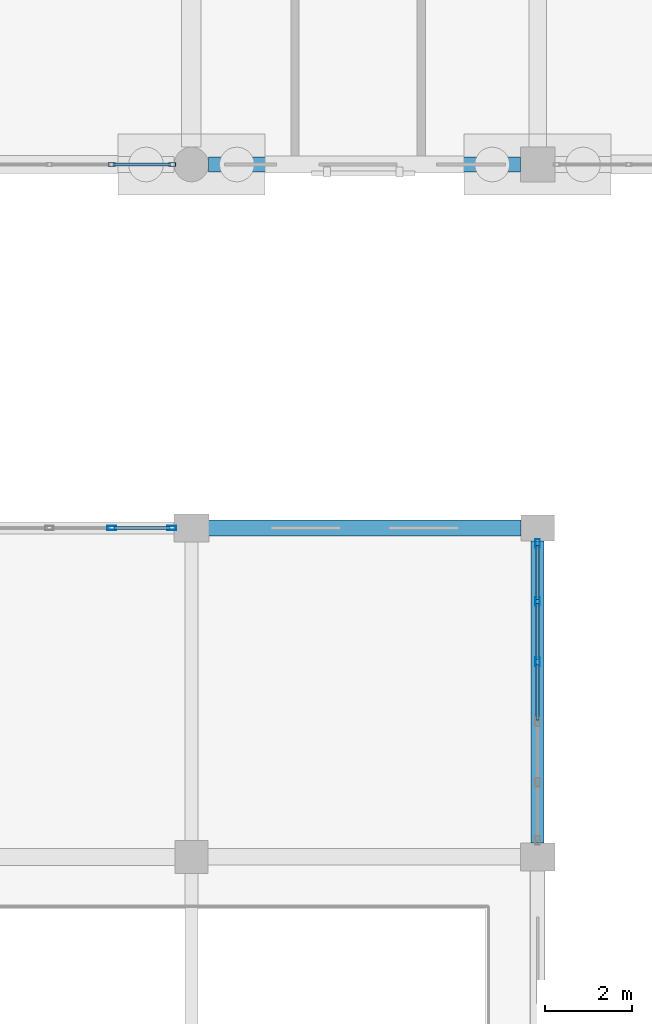
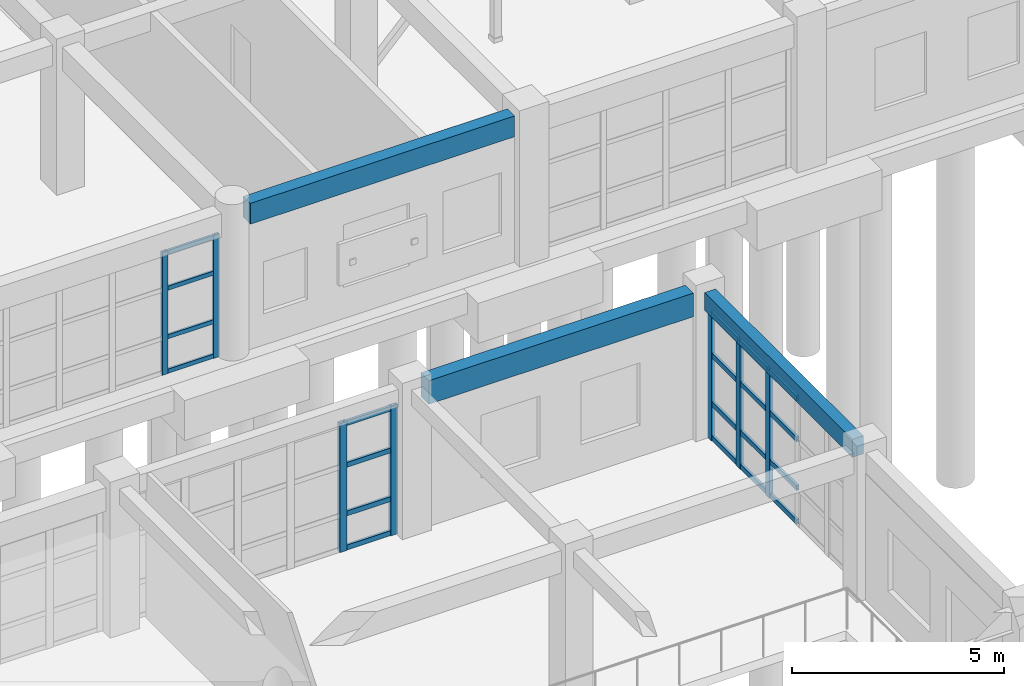
# One storey, part 88 of 166: 27 members, 3 beams, 3 elements without a shape of their own.
"""IFC4 building model written with IfcOpenShell, lengths in metres."""

from ifc_helpers import new_model, si_unit, direction, frame, origin, origin_2d, place, context, subcontext, project, spatial, rectangle, hollow_rectangle, extrude, material, material_profile, profile_set, type_object, element, aggregate, save


model = new_model("IFC4")

# Units and contexts
model_context = context("Model", 3, precision=1e-05, world=origin(), true_north=direction((0.0, 1.0)))
body_context = subcontext(model_context, "Body", "Model", "MODEL_VIEW")
ifc_project = project(units=[si_unit("LENGTHUNIT", "METRE"), si_unit("AREAUNIT", "SQUARE_METRE"), si_unit("VOLUMEUNIT", "CUBIC_METRE"), si_unit("PLANEANGLEUNIT", "RADIAN"), si_unit("MASSUNIT", "GRAM", prefix="KILO")], contexts=[model_context])

# Site, building, storey
site_placement = place(None, origin())
site = spatial("IfcSite", under=ifc_project, at=site_placement, CompositionType="ELEMENT")
building_placement = place(site_placement, origin())
building = spatial("IfcBuilding", under=site, at=building_placement, Name="Kharva Crest Polytechnic", CompositionType="ELEMENT")
storey_placement = place(building_placement, origin())
storey = spatial("IfcBuildingStorey", under=building, at=storey_placement, Name="L00", CompositionType="ELEMENT", Elevation=0.0)

# Curtain wall, members
ifc_material_1 = material(Name="Tempered insulated glass", Category="glass")
curtain_wall_type_1 = type_object("IfcCurtainWallType", Name="CW-SYS-COURT", PredefinedType="USERDEFINED", material=ifc_material_1)
curtain_wall_1_placement = place(storey_placement, origin())
curtain_wall_1 = element("IfcCurtainWall", 1, at=curtain_wall_1_placement, inside=storey, type_object=curtain_wall_type_1, Name="L00 Glazed Curtain Wall CW-014", ObjectType="CURTAIN WALL", PredefinedType="USERDEFINED")
ifc_material_2 = material(Name="Steel S355", Category="steel")
ifc_material_profile_1 = material_profile(ifc_material_2, hollow_rectangle(XDim=0.080078125, YDim=0.159912109375, WallThickness=0.0048828125, at=origin_2d()), Name="RHS 160X80X5.0")
ifc_profile_set_1 = profile_set([ifc_material_profile_1], Name="Steel S355")
member_type_1 = type_object("IfcMemberType", Name="CWM-RHS160X80", PredefinedType="MULLION", material=ifc_profile_set_1)
member_1_placement = place(storey_placement, frame((158.955078125, 38.800048828125, 0.0), z_axis=(0.0, 0.0, 1.0), x_axis=(0.0, 1.0, 0.0)))
member_1 = element("IfcMember", 2, at=member_1_placement, type_object=member_type_1, Name="CW-014 mullion 5", PredefinedType="MULLION", context=body_context, shape_type="SweptSolid", body=[
    extrude(hollow_rectangle(XDim=0.080078125, YDim=0.159912109375, WallThickness=0.0048828125, at=origin_2d()), origin(), (0.0, 0.0, 1.0), 3.5400390625),
])
member_2_placement = place(storey_placement, frame((160.35498046875, 38.800048828125, 0.0), z_axis=(0.0, 0.0, 1.0), x_axis=(0.0, 1.0, 0.0)))
member_2 = element("IfcMember", 3, at=member_2_placement, type_object=member_type_1, Name="CW-014 mullion 6", PredefinedType="MULLION", context=body_context, shape_type="SweptSolid", body=[
    extrude(hollow_rectangle(XDim=0.080078125, YDim=0.159912109375, WallThickness=0.0048828125, at=origin_2d()), origin(), (0.0, 0.0, 1.0), 3.5400390625),
])

curtain_wall_type_2 = type_object("IfcCurtainWallType", Name="CW-SYS-REFECTORY", PredefinedType="USERDEFINED", material=ifc_material_1)
curtain_wall_2_placement = place(storey_placement, origin())
curtain_wall_2 = element("IfcCurtainWall", 4, at=curtain_wall_2_placement, inside=storey, type_object=curtain_wall_type_2, Name="L00 Glazed Curtain Wall CW-011", ObjectType="CURTAIN WALL", PredefinedType="USERDEFINED")
ifc_material_profile_2 = material_profile(ifc_material_2, hollow_rectangle(XDim=0.10009765625, YDim=0.199951171875, WallThickness=0.00634765625, at=origin_2d()), Name="RHS 200X100X6.3")
ifc_profile_set_2 = profile_set([ifc_material_profile_2], Name="Steel S355")
member_type_2 = type_object("IfcMemberType", Name="CWM-RHS200X100", PredefinedType="MULLION", material=ifc_profile_set_2)
member_3_placement = place(storey_placement, frame((168.800048828125, 27.30908203125, 0.0), z_axis=(0.0, 0.0, 1.0), x_axis=(-1.0, 0.0, 0.0)))
member_3 = element("IfcMember", 5, at=member_3_placement, type_object=member_type_2, Name="CW-011 mullion 4", PredefinedType="MULLION", context=body_context, shape_type="SweptSolid", body=[
    extrude(hollow_rectangle(XDim=0.10009765625, YDim=0.199951171875, WallThickness=0.00634765625, at=origin_2d()), origin(), (0.0, 0.0, 1.0), 3.699951171875),
])
member_4_placement = place(storey_placement, frame((168.800048828125, 28.701904296875, 0.0), z_axis=(0.0, 0.0, 1.0), x_axis=(-1.0, 0.0, 0.0)))
member_4 = element("IfcMember", 6, at=member_4_placement, type_object=member_type_2, Name="CW-011 mullion 5", PredefinedType="MULLION", context=body_context, shape_type="SweptSolid", body=[
    extrude(hollow_rectangle(XDim=0.10009765625, YDim=0.199951171875, WallThickness=0.00634765625, at=origin_2d()), origin(), (0.0, 0.0, 1.0), 3.699951171875),
])
member_5_placement = place(storey_placement, frame((168.800048828125, 30.044921875, 0.0), z_axis=(0.0, 0.0, 1.0), x_axis=(-1.0, 0.0, 0.0)))
member_5 = element("IfcMember", 7, at=member_5_placement, type_object=member_type_2, Name="CW-011 mullion 6", PredefinedType="MULLION", context=body_context, shape_type="SweptSolid", body=[
    extrude(hollow_rectangle(XDim=0.10009765625, YDim=0.199951171875, WallThickness=0.00634765625, at=origin_2d()), origin(), (0.0, 0.0, 1.0), 3.699951171875),
])

curtain_wall_3_placement = place(storey_placement, origin())
curtain_wall_3 = element("IfcCurtainWall", 8, at=curtain_wall_3_placement, inside=storey, type_object=curtain_wall_type_2, Name="L00 Glazed Curtain Wall CW-012", ObjectType="CURTAIN WALL", PredefinedType="USERDEFINED")
member_6_placement = place(storey_placement, frame((160.344970703125, 30.39990234375, 0.0), z_axis=(0.0, 0.0, 1.0), x_axis=(0.0, -1.0, 0.0)))
member_6 = element("IfcMember", 9, at=member_6_placement, type_object=member_type_2, Name="CW-012 mullion 1", PredefinedType="MULLION", context=body_context, shape_type="SweptSolid", body=[
    extrude(hollow_rectangle(XDim=0.10009765625, YDim=0.199951171875, WallThickness=0.00634765625, at=origin_2d()), origin(), (0.0, 0.0, 1.0), 3.719970703125),
])
member_7_placement = place(storey_placement, frame((158.95703125, 30.39990234375, 0.0), z_axis=(0.0, 0.0, 1.0), x_axis=(0.0, -1.0, 0.0)))
member_7 = element("IfcMember", 10, at=member_7_placement, type_object=member_type_2, Name="CW-012 mullion 2", PredefinedType="MULLION", context=body_context, shape_type="SweptSolid", body=[
    extrude(hollow_rectangle(XDim=0.10009765625, YDim=0.199951171875, WallThickness=0.00634765625, at=origin_2d()), origin(), (0.0, 0.0, 1.0), 3.719970703125),
])

# Member
ifc_material_profile_3 = material_profile(ifc_material_2, hollow_rectangle(XDim=0.06005859375, YDim=0.1201171875, WallThickness=0.00390625, at=origin_2d()), Name="RHS 120X60X4.0")
ifc_profile_set_3 = profile_set([ifc_material_profile_3], Name="Steel S355")
member_type_3 = type_object("IfcMemberType", Name="CWT-RHS120X60", PredefinedType="USERDEFINED", material=ifc_profile_set_3)
member_8_placement = place(storey_placement, frame((158.9951171875, 38.800048828125, 0.06005859375), z_axis=(1.0, 0.0, 0.0), x_axis=(0.0, 1.0, 0.0)))
member_8 = element("IfcMember", 11, at=member_8_placement, type_object=member_type_3, Name="CW-014 transom 5.1", ObjectType="TRANSOM", PredefinedType="USERDEFINED", context=body_context, shape_type="SweptSolid", body=[
    extrude(hollow_rectangle(XDim=0.06005859375, YDim=0.1201171875, WallThickness=0.00390625, at=origin_2d()), origin(), (0.0, 0.0, 1.0), 1.31982421875),
])

member_9_placement = place(storey_placement, frame((158.9951171875, 38.800048828125, 1.050048828125), z_axis=(1.0, 0.0, 0.0), x_axis=(0.0, 1.0, 0.0)))
member_9 = element("IfcMember", 12, at=member_9_placement, type_object=member_type_3, Name="CW-014 transom 5.2", ObjectType="TRANSOM", PredefinedType="USERDEFINED", context=body_context, shape_type="SweptSolid", body=[
    extrude(hollow_rectangle(XDim=0.06005859375, YDim=0.1201171875, WallThickness=0.00390625, at=origin_2d()), origin(), (0.0, 0.0, 1.0), 1.31982421875),
])

member_10_placement = place(storey_placement, frame((158.9951171875, 38.800048828125, 2.449951171875), z_axis=(1.0, 0.0, 0.0), x_axis=(0.0, 1.0, 0.0)))
member_10 = element("IfcMember", 13, at=member_10_placement, type_object=member_type_3, Name="CW-014 transom 5.3", ObjectType="TRANSOM", PredefinedType="USERDEFINED", context=body_context, shape_type="SweptSolid", body=[
    extrude(hollow_rectangle(XDim=0.06005859375, YDim=0.1201171875, WallThickness=0.00390625, at=origin_2d()), origin(), (0.0, 0.0, 1.0), 1.31982421875),
])

member_11_placement = place(storey_placement, frame((158.9951171875, 38.800048828125, 3.47998046875), z_axis=(1.0, 0.0, 0.0), x_axis=(0.0, 1.0, 0.0)))
member_11 = element("IfcMember", 14, at=member_11_placement, type_object=member_type_3, Name="CW-014 transom 5.4", ObjectType="TRANSOM", PredefinedType="USERDEFINED", context=body_context, shape_type="SweptSolid", body=[
    extrude(hollow_rectangle(XDim=0.06005859375, YDim=0.1201171875, WallThickness=0.00390625, at=origin_2d()), origin(), (0.0, 0.0, 1.0), 1.31982421875),
])

aggregate(curtain_wall_1, [member_1, member_2, member_8, member_9, member_10, member_11])

ifc_material_profile_4 = material_profile(ifc_material_2, hollow_rectangle(XDim=0.070068359375, YDim=0.139892578125, WallThickness=0.00390625, at=origin_2d()), Name="RHS 140X70X4.0")
ifc_profile_set_4 = profile_set([ifc_material_profile_4], Name="Steel S355")
member_type_4 = type_object("IfcMemberType", Name="CWT-RHS140X70", PredefinedType="USERDEFINED", material=ifc_profile_set_4)
member_12_placement = place(storey_placement, frame((168.800048828125, 25.966064453125, 0.070068359375), z_axis=(0.0, 1.0, 0.0), x_axis=(-1.0, 0.0, 0.0)))
member_12 = element("IfcMember", 15, at=member_12_placement, type_object=member_type_4, Name="CW-011 transom 3.1", ObjectType="TRANSOM", PredefinedType="USERDEFINED", context=body_context, shape_type="SweptSolid", body=[
    extrude(hollow_rectangle(XDim=0.070068359375, YDim=0.139892578125, WallThickness=0.00390625, at=origin_2d()), origin(), (0.0, 0.0, 1.0), 1.29296875),
])

member_13_placement = place(storey_placement, frame((168.800048828125, 25.966064453125, 1.050048828125), z_axis=(0.0, 1.0, 0.0), x_axis=(-1.0, 0.0, 0.0)))
member_13 = element("IfcMember", 16, at=member_13_placement, type_object=member_type_4, Name="CW-011 transom 3.2", ObjectType="TRANSOM", PredefinedType="USERDEFINED", context=body_context, shape_type="SweptSolid", body=[
    extrude(hollow_rectangle(XDim=0.070068359375, YDim=0.139892578125, WallThickness=0.00390625, at=origin_2d()), origin(), (0.0, 0.0, 1.0), 1.29296875),
])

member_14_placement = place(storey_placement, frame((168.800048828125, 25.966064453125, 2.449951171875), z_axis=(0.0, 1.0, 0.0), x_axis=(-1.0, 0.0, 0.0)))
member_14 = element("IfcMember", 17, at=member_14_placement, type_object=member_type_4, Name="CW-011 transom 3.3", ObjectType="TRANSOM", PredefinedType="USERDEFINED", context=body_context, shape_type="SweptSolid", body=[
    extrude(hollow_rectangle(XDim=0.070068359375, YDim=0.139892578125, WallThickness=0.00390625, at=origin_2d()), origin(), (0.0, 0.0, 1.0), 1.29296875),
])

member_15_placement = place(storey_placement, frame((168.800048828125, 25.966064453125, 3.6298828125), z_axis=(0.0, 1.0, 0.0), x_axis=(-1.0, 0.0, 0.0)))
member_15 = element("IfcMember", 18, at=member_15_placement, type_object=member_type_4, Name="CW-011 transom 3.4", ObjectType="TRANSOM", PredefinedType="USERDEFINED", context=body_context, shape_type="SweptSolid", body=[
    extrude(hollow_rectangle(XDim=0.070068359375, YDim=0.139892578125, WallThickness=0.00390625, at=origin_2d()), origin(), (0.0, 0.0, 1.0), 1.29296875),
])

member_16_placement = place(storey_placement, frame((168.800048828125, 27.35888671875, 0.070068359375), z_axis=(0.0, 1.0, 0.0), x_axis=(-1.0, 0.0, 0.0)))
member_16 = element("IfcMember", 19, at=member_16_placement, type_object=member_type_4, Name="CW-011 transom 4.1", ObjectType="TRANSOM", PredefinedType="USERDEFINED", context=body_context, shape_type="SweptSolid", body=[
    extrude(hollow_rectangle(XDim=0.070068359375, YDim=0.139892578125, WallThickness=0.00390625, at=origin_2d()), origin(), (0.0, 0.0, 1.0), 1.293212890625),
])

member_17_placement = place(storey_placement, frame((168.800048828125, 27.35888671875, 1.050048828125), z_axis=(0.0, 1.0, 0.0), x_axis=(-1.0, 0.0, 0.0)))
member_17 = element("IfcMember", 20, at=member_17_placement, type_object=member_type_4, Name="CW-011 transom 4.2", ObjectType="TRANSOM", PredefinedType="USERDEFINED", context=body_context, shape_type="SweptSolid", body=[
    extrude(hollow_rectangle(XDim=0.070068359375, YDim=0.139892578125, WallThickness=0.00390625, at=origin_2d()), origin(), (0.0, 0.0, 1.0), 1.293212890625),
])

member_18_placement = place(storey_placement, frame((168.800048828125, 27.35888671875, 2.449951171875), z_axis=(0.0, 1.0, 0.0), x_axis=(-1.0, 0.0, 0.0)))
member_18 = element("IfcMember", 21, at=member_18_placement, type_object=member_type_4, Name="CW-011 transom 4.3", ObjectType="TRANSOM", PredefinedType="USERDEFINED", context=body_context, shape_type="SweptSolid", body=[
    extrude(hollow_rectangle(XDim=0.070068359375, YDim=0.139892578125, WallThickness=0.00390625, at=origin_2d()), origin(), (0.0, 0.0, 1.0), 1.293212890625),
])

member_19_placement = place(storey_placement, frame((168.800048828125, 27.35888671875, 3.6298828125), z_axis=(0.0, 1.0, 0.0), x_axis=(-1.0, 0.0, 0.0)))
member_19 = element("IfcMember", 22, at=member_19_placement, type_object=member_type_4, Name="CW-011 transom 4.4", ObjectType="TRANSOM", PredefinedType="USERDEFINED", context=body_context, shape_type="SweptSolid", body=[
    extrude(hollow_rectangle(XDim=0.070068359375, YDim=0.139892578125, WallThickness=0.00390625, at=origin_2d()), origin(), (0.0, 0.0, 1.0), 1.293212890625),
])

member_20_placement = place(storey_placement, frame((168.800048828125, 28.751953125, 0.070068359375), z_axis=(0.0, 1.0, 0.0), x_axis=(-1.0, 0.0, 0.0)))
member_20 = element("IfcMember", 23, at=member_20_placement, type_object=member_type_4, Name="CW-011 transom 5.1", ObjectType="TRANSOM", PredefinedType="USERDEFINED", context=body_context, shape_type="SweptSolid", body=[
    extrude(hollow_rectangle(XDim=0.070068359375, YDim=0.139892578125, WallThickness=0.00390625, at=origin_2d()), origin(), (0.0, 0.0, 1.0), 1.2431640625),
])

member_21_placement = place(storey_placement, frame((168.800048828125, 28.751953125, 1.050048828125), z_axis=(0.0, 1.0, 0.0), x_axis=(-1.0, 0.0, 0.0)))
member_21 = element("IfcMember", 24, at=member_21_placement, type_object=member_type_4, Name="CW-011 transom 5.2", ObjectType="TRANSOM", PredefinedType="USERDEFINED", context=body_context, shape_type="SweptSolid", body=[
    extrude(hollow_rectangle(XDim=0.070068359375, YDim=0.139892578125, WallThickness=0.00390625, at=origin_2d()), origin(), (0.0, 0.0, 1.0), 1.2431640625),
])

member_22_placement = place(storey_placement, frame((168.800048828125, 28.751953125, 2.449951171875), z_axis=(0.0, 1.0, 0.0), x_axis=(-1.0, 0.0, 0.0)))
member_22 = element("IfcMember", 25, at=member_22_placement, type_object=member_type_4, Name="CW-011 transom 5.3", ObjectType="TRANSOM", PredefinedType="USERDEFINED", context=body_context, shape_type="SweptSolid", body=[
    extrude(hollow_rectangle(XDim=0.070068359375, YDim=0.139892578125, WallThickness=0.00390625, at=origin_2d()), origin(), (0.0, 0.0, 1.0), 1.2431640625),
])

member_23_placement = place(storey_placement, frame((168.800048828125, 28.751953125, 3.6298828125), z_axis=(0.0, 1.0, 0.0), x_axis=(-1.0, 0.0, 0.0)))
member_23 = element("IfcMember", 26, at=member_23_placement, type_object=member_type_4, Name="CW-011 transom 5.4", ObjectType="TRANSOM", PredefinedType="USERDEFINED", context=body_context, shape_type="SweptSolid", body=[
    extrude(hollow_rectangle(XDim=0.070068359375, YDim=0.139892578125, WallThickness=0.00390625, at=origin_2d()), origin(), (0.0, 0.0, 1.0), 1.2431640625),
])

aggregate(curtain_wall_2, [member_3, member_4, member_5, member_12, member_13, member_14, member_15, member_16, member_17, member_18, member_19, member_20, member_21, member_22, member_23])

member_24_placement = place(storey_placement, frame((160.294921875, 30.39990234375, 0.070068359375), z_axis=(-1.0, 0.0, 0.0), x_axis=(0.0, -1.0, 0.0)))
member_24 = element("IfcMember", 27, at=member_24_placement, type_object=member_type_4, Name="CW-012 transom 1.1", ObjectType="TRANSOM", PredefinedType="USERDEFINED", context=body_context, shape_type="SweptSolid", body=[
    extrude(hollow_rectangle(XDim=0.070068359375, YDim=0.139892578125, WallThickness=0.00390625, at=origin_2d()), origin(), (0.0, 0.0, 1.0), 1.287841796875),
])

member_25_placement = place(storey_placement, frame((160.294921875, 30.39990234375, 1.050048828125), z_axis=(-1.0, 0.0, 0.0), x_axis=(0.0, -1.0, 0.0)))
member_25 = element("IfcMember", 28, at=member_25_placement, type_object=member_type_4, Name="CW-012 transom 1.2", ObjectType="TRANSOM", PredefinedType="USERDEFINED", context=body_context, shape_type="SweptSolid", body=[
    extrude(hollow_rectangle(XDim=0.070068359375, YDim=0.139892578125, WallThickness=0.00390625, at=origin_2d()), origin(), (0.0, 0.0, 1.0), 1.287841796875),
])

member_26_placement = place(storey_placement, frame((160.294921875, 30.39990234375, 2.449951171875), z_axis=(-1.0, 0.0, 0.0), x_axis=(0.0, -1.0, 0.0)))
member_26 = element("IfcMember", 29, at=member_26_placement, type_object=member_type_4, Name="CW-012 transom 1.3", ObjectType="TRANSOM", PredefinedType="USERDEFINED", context=body_context, shape_type="SweptSolid", body=[
    extrude(hollow_rectangle(XDim=0.070068359375, YDim=0.139892578125, WallThickness=0.00390625, at=origin_2d()), origin(), (0.0, 0.0, 1.0), 1.287841796875),
])

member_27_placement = place(storey_placement, frame((160.294921875, 30.39990234375, 3.64990234375), z_axis=(-1.0, 0.0, 0.0), x_axis=(0.0, -1.0, 0.0)))
member_27 = element("IfcMember", 30, at=member_27_placement, type_object=member_type_4, Name="CW-012 transom 1.4", ObjectType="TRANSOM", PredefinedType="USERDEFINED", context=body_context, shape_type="SweptSolid", body=[
    extrude(hollow_rectangle(XDim=0.070068359375, YDim=0.139892578125, WallThickness=0.00390625, at=origin_2d()), origin(), (0.0, 0.0, 1.0), 1.287841796875),
])

aggregate(curtain_wall_3, [member_6, member_7, member_24, member_25, member_26, member_27])

# Beams
ifc_material_3 = material(Name="Concrete C35/45", Category="concrete")
ifc_material_profile_5 = material_profile(ifc_material_3, rectangle(XDim=0.300048828125, YDim=0.52001953125, at=origin_2d()), Name="RECT 300 X 520")
ifc_profile_set_5 = profile_set([ifc_material_profile_5], Name="Concrete C35/45")
beam_type_1 = type_object("IfcBeamType", Name="SP-RC-300X520", PredefinedType="SPANDREL", material=ifc_profile_set_5)
beam_1_placement = place(storey_placement, frame((168.800048828125, 23.125, 3.9599609375), z_axis=(0.0, 1.0, 0.0), x_axis=(-1.0, 0.0, 0.0)))
element("IfcBeam", 31, at=beam_1_placement, inside=storey, type_object=beam_type_1, Name="L00 Girder 22/D-E", PredefinedType="SPANDREL", context=body_context, shape_type="SweptSolid", body=[
    extrude(rectangle(XDim=0.300048828125, YDim=0.52001953125, at=origin_2d()), origin(), (0.0, 0.0, 1.0), 6.97509765625),
])
ifc_material_profile_6 = material_profile(ifc_material_3, rectangle(XDim=0.340087890625, YDim=0.60009765625, at=origin_2d()), Name="RECT 340 X 600")
ifc_profile_set_6 = profile_set([ifc_material_profile_6], Name="Concrete C35/45")
beam_type_2 = type_object("IfcBeamType", Name="SP-RC-340X600", PredefinedType="SPANDREL", material=ifc_profile_set_6)
beam_2_placement = place(storey_placement, frame((161.199951171875, 38.800048828125, 3.919921875), z_axis=(1.0, 0.0, 0.0), x_axis=(0.0, 1.0, 0.0)))
element("IfcBeam", 32, at=beam_2_placement, inside=storey, type_object=beam_type_2, Name="L00 Beam FJ/21-22", PredefinedType="SPANDREL", context=body_context, shape_type="SweptSolid", body=[
    extrude(rectangle(XDim=0.340087890625, YDim=0.60009765625, at=origin_2d()), origin(), (0.0, 0.0, 1.0), 7.199951171875),
])
ifc_material_profile_7 = material_profile(ifc_material_3, rectangle(XDim=0.3798828125, YDim=0.679931640625, at=origin_2d()), Name="RECT 380 X 680")
ifc_profile_set_7 = profile_set([ifc_material_profile_7], Name="Concrete C35/45")
beam_type_3 = type_object("IfcBeamType", Name="SP-RC-380X680", PredefinedType="SPANDREL", material=ifc_profile_set_7)
beam_3_placement = place(storey_placement, frame((161.199951171875, 30.39990234375, 3.8798828125), z_axis=(1.0, 0.0, 0.0), x_axis=(0.0, 1.0, 0.0)))
element("IfcBeam", 33, at=beam_3_placement, inside=storey, type_object=beam_type_3, Name="L00 Beam E/21-22", PredefinedType="SPANDREL", context=body_context, shape_type="SweptSolid", body=[
    extrude(rectangle(XDim=0.3798828125, YDim=0.679931640625, at=origin_2d()), origin(), (0.0, 0.0, 1.0), 7.2099609375),
])

save(model, "model.ifc")
